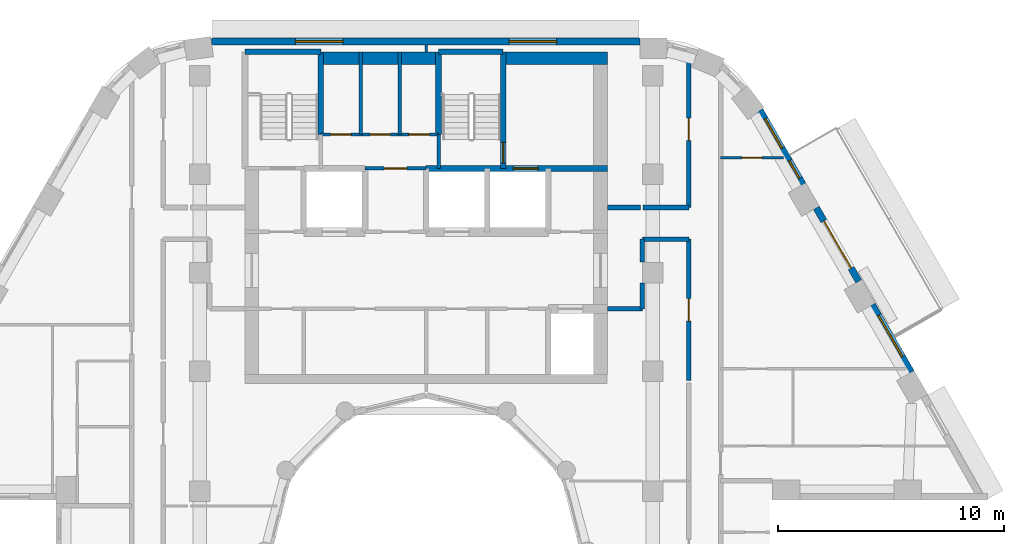
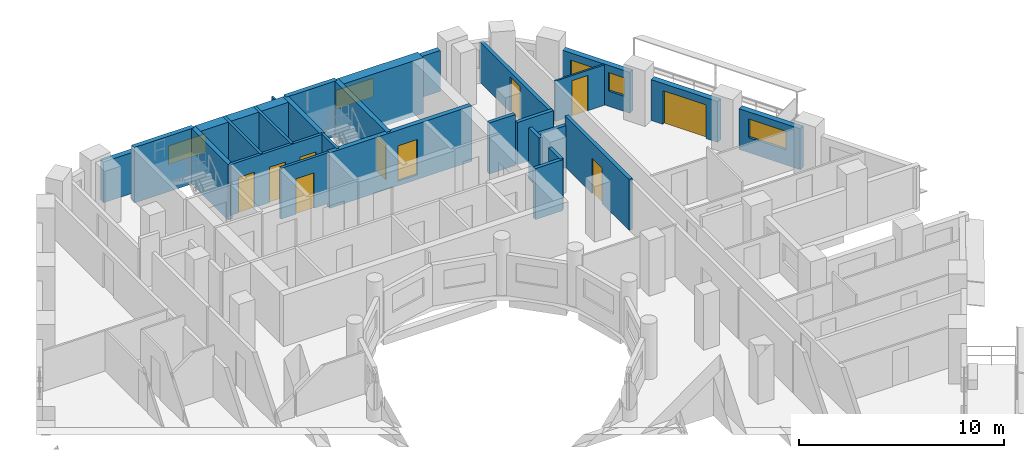
# One storey, part 9 of 18: 27 walls, 10 doors, 5 windows, 15 openings.
"""IFC4 building model written with IfcOpenShell, lengths in metres."""

import ifcopenshell
import ifcopenshell.guid

model = None  # the IFC model being written
_history = None  # IfcOwnerHistory: only IFC2X3 demands one
_inside = {}  # id of a spatial element -> (the spatial element, [elements in it])
_under = {}  # id of a project, library or spatial element -> (it, [spatial elements below it])
_declared = {}  # id of a project -> (the project, [libraries it declares])
_typed = {}  # id of a type object -> (the type object, [elements of that type])
_made_of = {}  # id of a material, layer set ... -> (it, [elements and type objects made of it])


def new_model(schema):
    """Start an empty IFC model of exactly this schema.

    Asked for "IFC4X3", IfcOpenShell would pick the latest addendum, in which some entities
    have other attributes; the version numbers below select the first issue.
    IFC2X3 requires an IfcOwnerHistory on every rooted entity: one is made here for all.
    """
    global model, _history
    if schema == "IFC4X3":
        model = ifcopenshell.file(schema_version=(4, 3, 0, 0))
    else:
        model = ifcopenshell.file(schema=schema)
    _inside.clear()
    _under.clear()
    _declared.clear()
    _typed.clear()
    _made_of.clear()
    _history = None
    if model.schema == "IFC2X3":
        org = make("IfcOrganization", Name="unknown")
        user = make(
            "IfcPersonAndOrganization",
            ThePerson=make("IfcPerson", FamilyName="unknown"),
            TheOrganization=org,
        )
        app = make(
            "IfcApplication",
            ApplicationDeveloper=org,
            Version="unknown",
            ApplicationFullName="unknown",
            ApplicationIdentifier="unknown",
        )
        _history = make(
            "IfcOwnerHistory",
            OwningUser=user,
            OwningApplication=app,
            ChangeAction="ADDED",
            CreationDate=0,
        )
    return model


def make(cls, **values):
    """One entity of the class cls with the attributes given. An attribute that is None is left unset."""
    return model.create_entity(
        cls, **{name: value for name, value in values.items() if value is not None}
    )


def rooted(cls, **values):
    """An entity with a GlobalId (a new one), such as an element, a storey or a relation."""
    return make(cls, GlobalId=ifcopenshell.guid.new(), OwnerHistory=_history, **values)


def si_unit(unit_type, name, prefix=None):
    """IfcSIUnit, for example si_unit("LENGTHUNIT", "METRE", prefix="MILLI")."""
    return make("IfcSIUnit", UnitType=unit_type, Prefix=prefix, Name=name)


def assignment(units):
    """IfcUnitAssignment: the units of a project."""
    return None if units is None else make("IfcUnitAssignment", Units=units)


def point(xyz):
    """IfcCartesianPoint."""
    return None if xyz is None else make("IfcCartesianPoint", Coordinates=xyz)


def direction(xyz):
    """IfcDirection."""
    return None if xyz is None else make("IfcDirection", DirectionRatios=xyz)


def frame(location, z_axis=None, x_axis=None):
    """IfcAxis2Placement3D, a coordinate frame: its origin and axes. An axis left out is left unset."""
    return make(
        "IfcAxis2Placement3D",
        Location=point(location),
        Axis=direction(z_axis),
        RefDirection=direction(x_axis),
    )


def frame_2d(location, x_axis=None):
    """IfcAxis2Placement2D, a coordinate frame in the plane: its origin and x axis."""
    return make(
        "IfcAxis2Placement2D", Location=point(location), RefDirection=direction(x_axis)
    )


def origin():
    """The frame at (0, 0, 0) with its axes left unset."""
    return frame((0.0, 0.0, 0.0))


def place(relative_to, where):
    """IfcLocalPlacement: puts the frame where relative to a parent placement (None: the world)."""
    return make(
        "IfcLocalPlacement", PlacementRelTo=relative_to, RelativePlacement=where
    )


def context(
    kind, dimensions, precision=None, world=None, true_north=None, identifier=None
):
    """IfcGeometricRepresentationContext, for example the 3D "Model" context."""
    return make(
        "IfcGeometricRepresentationContext",
        ContextIdentifier=identifier,
        ContextType=kind,
        CoordinateSpaceDimension=dimensions,
        Precision=precision,
        WorldCoordinateSystem=world,
        TrueNorth=true_north,
    )


def subcontext(parent, identifier, kind, view, scale=None):
    """IfcGeometricRepresentationSubContext, for example "Body" below "Model"."""
    return make(
        "IfcGeometricRepresentationSubContext",
        ContextIdentifier=identifier,
        ContextType=kind,
        ParentContext=parent,
        TargetScale=scale,
        TargetView=view,
    )


def project(units=None, contexts=None):
    """IfcProject with its units and contexts."""
    return rooted(
        "IfcProject",
        Name="project",
        RepresentationContexts=contexts,
        UnitsInContext=assignment(units),
    )


def spatial(cls, under=None, at=None, **own):
    """A site, building, storey or space (cls), placed at a placement, below another one or the project."""
    s = rooted(cls, ObjectPlacement=at, **own)
    if under is not None:
        _under.setdefault(under.id(), (under, []))[1].append(s)
    return s


def profile(cls, at=None, kind="AREA", **sizes):
    """A parametric profile (cls). Its sizes go by their IFC names, for example OverallWidth=200.0."""
    return make(cls, ProfileType=kind, Position=at, **sizes)


def rectangle(**sizes):
    """IfcRectangleProfileDef."""
    return profile("IfcRectangleProfileDef", **sizes)


def extrude(swept, where, along, depth):
    """IfcExtrudedAreaSolid: the profile swept, set in the frame where, extruded along a direction by depth."""
    return make(
        "IfcExtrudedAreaSolid",
        SweptArea=swept,
        Position=where,
        ExtrudedDirection=direction(along),
        Depth=depth,
    )


def shape(context_of_items, identifier, shape_type, items):
    """IfcShapeRepresentation: the items that make up one representation, for example the "Body"."""
    return make(
        "IfcShapeRepresentation",
        ContextOfItems=context_of_items,
        RepresentationIdentifier=identifier,
        RepresentationType=shape_type,
        Items=items,
    )


def material(Name=None, Category=None):
    """IfcMaterial."""
    return make("IfcMaterial", Name=Name, Category=Category)


def layer(
    of_material, thickness, ventilated=None, Name=None, Category=None, Priority=None
):
    """IfcMaterialLayer: one layer of a wall or slab, of a material (None: an air gap)."""
    return make(
        "IfcMaterialLayer",
        Material=of_material,
        LayerThickness=thickness,
        IsVentilated=ventilated,
        Name=Name,
        Category=Category,
        Priority=Priority,
    )


def layer_set(layers, Name=None):
    """IfcMaterialLayerSet."""
    return make("IfcMaterialLayerSet", MaterialLayers=layers, LayerSetName=Name)


def made_of(thing, what):
    """Note that an element or type object is made of a material, layer set ...; save() writes the relation."""
    if what is not None:
        _made_of.setdefault(what.id(), (what, []))[1].append(thing)
    return thing


def type_object(cls, material=None, **own):
    """A type object (cls), such as IfcWallType, which elements share."""
    return made_of(rooted(cls, **own), material)


def element(
    cls,
    number,
    at=None,
    inside=None,
    cuts=None,
    type_object=None,
    material=None,
    context=None,
    identifier="Body",
    shape_type=None,
    held_by="IfcProductDefinitionShape",
    body=None,
    shapes=None,
    **own,
):
    """One element of the class cls, such as IfcWall. Its Tag is "e" and its number.

    at: its placement. inside: the storey or other place that contains it. cuts: it is an
    opening in that element (IfcRelVoidsElement). A single representation is given by context,
    identifier, shape_type and body (its items); several are given by shapes. held_by: the class
    of the entity that holds the representations. save() writes the other relations.
    """
    e = rooted(cls, Tag="e%d" % number, ObjectPlacement=at, **own)
    if body is not None:
        shapes = [shape(context, identifier, shape_type, body)]
    if shapes is not None:
        e.Representation = make(held_by, Representations=shapes)
    if inside is not None:
        _inside.setdefault(inside.id(), (inside, []))[1].append(e)
    if cuts is not None:
        rooted(
            "IfcRelVoidsElement", RelatingBuildingElement=cuts, RelatedOpeningElement=e
        )
    if type_object is not None:
        _typed.setdefault(type_object.id(), (type_object, []))[1].append(e)
    return made_of(e, material)


def fill(opening, filler):
    """IfcRelFillsElement: the door or window that sits in an opening."""
    return rooted(
        "IfcRelFillsElement",
        RelatingOpeningElement=opening,
        RelatedBuildingElement=filler,
    )


def aggregate(whole, parts):
    """IfcRelAggregates: a whole, such as a stair, and the parts it consists of."""
    return rooted("IfcRelAggregates", RelatingObject=whole, RelatedObjects=parts)


def save(model, path):
    """Write the relations noted so far, then the file.

    IfcRelAggregates (storeys below a building ...), IfcRelContainedInSpatialStructure (elements
    in a storey), IfcRelDefinesByType, IfcRelAssociatesMaterial and IfcRelDeclares: one each for
    every whole, place, type object, material and project.
    """
    for whole, parts in _under.values():
        aggregate(whole, parts)
    for where, things in _inside.values():
        rooted(
            "IfcRelContainedInSpatialStructure",
            RelatedElements=things,
            RelatingStructure=where,
        )
    for kind, things in _typed.values():
        rooted("IfcRelDefinesByType", RelatedObjects=things, RelatingType=kind)
    for what, things in _made_of.values():
        rooted("IfcRelAssociatesMaterial", RelatedObjects=things, RelatingMaterial=what)
    for by, libraries in _declared.values():
        rooted("IfcRelDeclares", RelatingContext=by, RelatedDefinitions=libraries)
    model.write(path)


model = new_model("IFC4")

# Units and contexts
model_context = context("Model", 3, precision=1e-05, world=origin(), true_north=direction((0.0, 1.0)))
body_context = subcontext(model_context, "Body", "Model", "MODEL_VIEW")
ifc_project = project(units=[si_unit("LENGTHUNIT", "METRE"), si_unit("AREAUNIT", "SQUARE_METRE"), si_unit("VOLUMEUNIT", "CUBIC_METRE"), si_unit("PLANEANGLEUNIT", "RADIAN"), si_unit("MASSUNIT", "GRAM", prefix="KILO")], contexts=[model_context])

# Site, building, storey
site_placement = place(None, origin())
site = spatial("IfcSite", under=ifc_project, at=site_placement, CompositionType="ELEMENT")
building_placement = place(site_placement, origin())
building = spatial("IfcBuilding", under=site, at=building_placement, Name="Nakaniwa Court", CompositionType="ELEMENT")
storey_placement = place(building_placement, frame((0.0, 0.0, 180.0)))
storey = spatial("IfcBuildingStorey", under=building, at=storey_placement, Name="L46", CompositionType="ELEMENT", Elevation=180.0)

# Wall, opening, door
ifc_material_1 = material(Name="Acoustic double stud partition")
ifc_layer_1 = layer(ifc_material_1, 0.199951171875)
ifc_layer_set_1 = layer_set([ifc_layer_1], Name="Acoustic double stud partition")
wall_type_1 = type_object("IfcWallType", Name="Acoustic double stud partition 200", PredefinedType="PARTITIONING", material=ifc_layer_set_1)
wall_1_placement = place(storey_placement, frame((91.60009765625, 87.537109375, 0.0), z_axis=(0.0, 0.0, 1.0), x_axis=(0.0, 1.0, 0.0)))
wall_1 = element("IfcWall", 1, at=wall_1_placement, inside=storey, type_object=wall_type_1, Name="Partition PW-075", PredefinedType="PARTITIONING", context=body_context, shape_type="SweptSolid", body=[
    extrude(rectangle(XDim=6.23779296875, YDim=0.199951171875, at=frame_2d((3.118896484375, 0.0))), origin(), (0.0, 0.0, 1.0), 3.02490234375),
])
opening_1_placement = place(wall_1_placement, frame((2.6201171875, 0.0, 0.0)))
opening_1 = element("IfcOpeningElement", 2, at=opening_1_placement, cuts=wall_1, Name="Opening D-02-03", PredefinedType="OPENING", context=body_context, shape_type="SweptSolid", body=[
    extrude(rectangle(XDim=1.0, YDim=2.10009765625, at=frame_2d((0.5, 1.050048828125))), frame((0.0, 0.10986328125, 0.0), z_axis=(0.0, -1.0, 0.0), x_axis=(1.0, 0.0, 0.0)), (0.0, 0.0, 1.0), 0.219970703125),
])
ifc_material_2 = material(Name="Solid core timber door set, black veneer", Category="wood")
door_type_1 = type_object("IfcDoorType", Name="Internal door 1000", OperationType="NOTDEFINED", PredefinedType="DOOR", material=ifc_material_2)
door_1_placement = place(opening_1_placement, origin())
door_1 = element("IfcDoor", 3, at=door_1_placement, inside=storey, type_object=door_type_1, Name="Door D-02-03 L46-038", OperationType="SINGLE_SWING_LEFT", OverallHeight=2.10009765625, OverallWidth=1.0, PredefinedType="DOOR", context=body_context, shape_type="SweptSolid", body=[
    extrude(rectangle(XDim=1.0, YDim=2.10009765625, at=frame_2d((0.5, 1.050048828125))), frame((0.0, 0.02490234375, 0.0), z_axis=(0.0, -1.0, 0.0), x_axis=(1.0, 0.0, 0.0)), (0.0, 0.0, 1.0), 0.050048828125),
])
fill(opening_1, door_1)

wall_2_placement = place(storey_placement, frame((91.60009765625, 95.175048828125, 0.0), z_axis=(0.0, 0.0, 1.0), x_axis=(0.0, 1.0, 0.0)))
wall_2 = element("IfcWall", 4, at=wall_2_placement, inside=storey, type_object=wall_type_1, Name="Partition PW-076", PredefinedType="PARTITIONING", context=body_context, shape_type="SweptSolid", body=[
    extrude(rectangle(XDim=6.898681640625, YDim=0.199951171875, at=frame_2d((3.44921875, 0.0))), origin(), (0.0, 0.0, 1.0), 2.405029296875),
])
opening_2_placement = place(wall_2_placement, frame((2.949951171875, 0.0, 0.0)))
opening_2 = element("IfcOpeningElement", 5, at=opening_2_placement, cuts=wall_2, Name="Opening D-02-07", PredefinedType="OPENING", context=body_context, shape_type="SweptSolid", body=[
    extrude(rectangle(XDim=1.0, YDim=2.10009765625, at=frame_2d((0.5, 1.050048828125))), frame((0.0, 0.10986328125, 0.0), z_axis=(0.0, -1.0, 0.0), x_axis=(1.0, 0.0, 0.0)), (0.0, 0.0, 1.0), 0.219970703125),
])
door_2_placement = place(opening_2_placement, origin())
door_2 = element("IfcDoor", 6, at=door_2_placement, inside=storey, type_object=door_type_1, Name="Door D-02-07 L46-060", OperationType="SINGLE_SWING_LEFT", OverallHeight=2.10009765625, OverallWidth=1.0, PredefinedType="DOOR", context=body_context, shape_type="SweptSolid", body=[
    extrude(rectangle(XDim=1.0, YDim=2.10009765625, at=frame_2d((0.5, 1.050048828125))), frame((0.0, 0.02490234375, 0.0), z_axis=(0.0, -1.0, 0.0), x_axis=(1.0, 0.0, 0.0)), (0.0, 0.0, 1.0), 0.050048828125),
])
fill(opening_2, door_2)

# Walls
wall_3_placement = place(storey_placement, frame((89.550048828125, 90.699951171875, 0.0), z_axis=(0.0, 0.0, 1.0), x_axis=(0.0, 1.0, 0.0)))
element("IfcWall", 7, at=wall_3_placement, inside=storey, type_object=wall_type_1, Name="Partition PW-086", PredefinedType="PARTITIONING", context=body_context, shape_type="SweptSolid", body=[
    extrude(rectangle(XDim=1.1328125, YDim=0.199951171875, at=frame_2d((0.56640625, 0.0))), origin(), (0.0, 0.0, 1.0), 3.02490234375),
])
wall_4_placement = place(storey_placement, frame((89.550048828125, 92.76708984375, 0.0), z_axis=(0.0, 0.0, 1.0), x_axis=(0.0, 1.0, 0.0)))
element("IfcWall", 8, at=wall_4_placement, inside=storey, type_object=wall_type_1, Name="Partition PW-087", PredefinedType="PARTITIONING", context=body_context, shape_type="SweptSolid", body=[
    extrude(rectangle(XDim=1.0078125, YDim=0.199951171875, at=frame_2d((0.50390625, 0.0))), origin(), (0.0, 0.0, 1.0), 3.02490234375),
])
wall_5_placement = place(storey_placement, frame((89.550048828125, 93.77490234375, 0.0), z_axis=(0.0, 0.0, 1.0), x_axis=(1.0, 0.0, 0.0)))
element("IfcWall", 9, at=wall_5_placement, inside=storey, type_object=wall_type_1, Name="Partition PW-091", PredefinedType="PARTITIONING", context=body_context, shape_type="SweptSolid", body=[
    extrude(rectangle(XDim=2.050048828125, YDim=0.199951171875, at=frame_2d((1.02490234375, 0.0))), origin(), (0.0, 0.0, 1.0), 2.5048828125),
])
wall_6_placement = place(storey_placement, frame((88.0, 90.699951171875, 0.0), z_axis=(0.0, 0.0, 1.0), x_axis=(1.0, 0.0, 0.0)))
element("IfcWall", 10, at=wall_6_placement, inside=storey, type_object=wall_type_1, Name="Partition PW-093", PredefinedType="PARTITIONING", context=body_context, shape_type="SweptSolid", body=[
    extrude(rectangle(XDim=1.550048828125, YDim=0.199951171875, at=frame_2d((0.77490234375, 0.0))), origin(), (0.0, 0.0, 1.0), 3.02490234375),
])
wall_7_placement = place(storey_placement, frame((88.0, 95.175048828125, 0.0), z_axis=(0.0, 0.0, 1.0), x_axis=(1.0, 0.0, 0.0)))
element("IfcWall", 11, at=wall_7_placement, inside=storey, type_object=wall_type_1, Name="Partition PW-096", PredefinedType="PARTITIONING", context=body_context, shape_type="SweptSolid", body=[
    extrude(rectangle(XDim=1.472900390625, YDim=0.199951171875, at=frame_2d((0.736328125, 0.0))), origin(), (0.0, 0.0, 1.0), 3.02490234375),
])
wall_8_placement = place(storey_placement, frame((89.587158203125, 95.175048828125, 0.0), z_axis=(0.0, 0.0, 1.0), x_axis=(1.0, 0.0, 0.0)))
element("IfcWall", 12, at=wall_8_placement, inside=storey, type_object=wall_type_1, Name="Partition PW-097", PredefinedType="PARTITIONING", context=body_context, shape_type="SweptSolid", body=[
    extrude(rectangle(XDim=2.012939453125, YDim=0.199951171875, at=frame_2d((1.00634765625, 0.0))), origin(), (0.0, 0.0, 1.0), 2.5048828125),
])

# Wall, opening, window
ifc_material_3 = material(Name="Charcoal ceramic cladding")
ifc_layer_2 = layer(ifc_material_3, 0.02, Name="Ceramic cladding")
ifc_material_4 = material(Name="Ventilated air cavity")
ifc_layer_3 = layer(ifc_material_4, 0.04, ventilated=True, Name="Ventilated cavity")
ifc_material_5 = material(Name="Mineral wool insulation")
ifc_layer_4 = layer(ifc_material_5, 0.1, Name="Insulation")
ifc_material_6 = material(Name="Cement bonded sheathing board")
ifc_layer_5 = layer(ifc_material_6, 0.012, Name="Sheathing")
ifc_material_7 = material(Name="Cold-formed galvanised stud frame with mineral wool infill")
ifc_layer_6 = layer(ifc_material_7, 0.1, Name="Stud frame")
ifc_material_8 = material(Name="Fire-rated gypsum plasterboard lining")
ifc_layer_7 = layer(ifc_material_8, 0.028, Name="Lining")
ifc_layer_set_2 = layer_set([ifc_layer_2, ifc_layer_3, ifc_layer_4, ifc_layer_5, ifc_layer_6, ifc_layer_7], Name="Charcoal ceramic faced external wall system")
wall_type_2 = type_object("IfcWallType", Name="Black ceramic faced external wall 300", PredefinedType="SOLIDWALL", material=ifc_layer_set_2)
wall_9_placement = place(storey_placement, frame((101.420654296875, 87.898193359375, 0.0), z_axis=(0.0, 0.0, 1.0), x_axis=(-0.499955427682, 0.866051136095, 0.0)))
wall_9 = element("IfcWall", 13, at=wall_9_placement, inside=storey, type_object=wall_type_2, Name="L46 external wall 03", PredefinedType="SOLIDWALL", context=body_context, shape_type="SweptSolid", body=[
    extrude(rectangle(XDim=3.447021484375, YDim=0.300048828125, at=frame_2d((1.7236328125, 0.0))), origin(), (0.0, 0.0, 1.0), 2.425048828125),
])
opening_3_placement = place(wall_9_placement, frame((0.798095703125, 0.0, 0.89990234375)))
opening_3 = element("IfcOpeningElement", 14, at=opening_3_placement, cuts=wall_9, Name="Opening W7.02", PredefinedType="OPENING", context=body_context, shape_type="SweptSolid", body=[
    extrude(rectangle(XDim=2.10009765625, YDim=1.10009765625, at=frame_2d((1.050048828125, 0.550048828125))), frame((0.0, 0.159912109375, 0.0), z_axis=(0.0, -1.0, 0.0), x_axis=(1.0, 0.0, 0.0)), (0.0, 0.0, 1.0), 0.320068359375),
])
ifc_material_9 = material(Name="Black anodised aluminium frame with dark low-E laminated double glazing", Category="aluminium")
window_type_1 = type_object("IfcWindowType", Name="Dark glass window 2100x1100 sill 900", PartitioningType="SINGLE_PANEL", PredefinedType="WINDOW", material=ifc_material_9)
window_1_placement = place(opening_3_placement, origin())
window_1 = element("IfcWindow", 15, at=window_1_placement, inside=storey, type_object=window_type_1, Name="L46 living window 03-1", OverallHeight=1.10009765625, OverallWidth=2.10009765625, PartitioningType="SINGLE_PANEL", PredefinedType="WINDOW", context=body_context, shape_type="SweptSolid", body=[
    extrude(rectangle(XDim=2.10009765625, YDim=1.10009765625, at=frame_2d((1.050048828125, 0.550048828125))), frame((0.0, 0.030029296875, 0.0), z_axis=(0.0, -1.0, 0.0), x_axis=(1.0, 0.0, 0.0)), (0.0, 0.0, 1.0), 0.06005859375),
])
fill(opening_3, window_1)

# Wall, opening, door
wall_10_placement = place(storey_placement, frame((99.101318359375, 91.916015625, 0.0), z_axis=(0.0, 0.0, 1.0), x_axis=(-0.500059225181, 0.86599120741, 0.0)))
wall_10 = element("IfcWall", 16, at=wall_10_placement, inside=storey, type_object=wall_type_2, Name="L46 external wall 04", PredefinedType="SOLIDWALL", context=body_context, shape_type="SweptSolid", body=[
    extrude(rectangle(XDim=3.744140625, YDim=0.300048828125, at=frame_2d((1.8720703125, 0.0))), origin(), (0.0, 0.0, 1.0), 2.425048828125),
])
opening_4_placement = place(wall_10_placement, frame((0.672119140625, 0.0, 0.0)))
opening_4 = element("IfcOpeningElement", 17, at=opening_4_placement, cuts=wall_10, Name="Opening XD13.01", PredefinedType="OPENING", context=body_context, shape_type="SweptSolid", body=[
    extrude(rectangle(XDim=2.39990234375, YDim=2.0, at=frame_2d((1.199951171875, 1.0))), frame((0.0, 0.159912109375, 0.0), z_axis=(0.0, -1.0, 0.0), x_axis=(1.0, 0.0, 0.0)), (0.0, 0.0, 1.0), 0.320068359375),
])
ifc_material_10 = material(Name="Black powder-coated aluminium frame with dark laminated glass", Category="aluminium")
door_type_2 = type_object("IfcDoorType", Name="Balcony sliding door 2400x2000", OperationType="DOUBLE_DOOR_SLIDING", PredefinedType="DOOR", material=ifc_material_10)
door_3_placement = place(opening_4_placement, origin())
door_3 = element("IfcDoor", 18, at=door_3_placement, inside=storey, type_object=door_type_2, Name="L46 balcony sliding door 03", OperationType="DOUBLE_DOOR_SLIDING", OverallHeight=2.0, OverallWidth=2.39990234375, PredefinedType="DOOR", context=body_context, shape_type="SweptSolid", body=[
    extrude(rectangle(XDim=2.39990234375, YDim=2.0, at=frame_2d((1.199951171875, 1.0))), frame((0.0, 0.02490234375, 0.0), z_axis=(0.0, -1.0, 0.0), x_axis=(1.0, 0.0, 0.0)), (0.0, 0.0, 1.0), 0.050048828125),
])
fill(opening_4, door_3)

# Wall, openings, windows
wall_11_placement = place(storey_placement, frame((96.633056640625, 96.190673828125, 0.0), z_axis=(0.0, 0.0, 1.0), x_axis=(-0.499961087031, 0.866047869032, 0.0)))
wall_11 = element("IfcWall", 19, at=wall_11_placement, inside=storey, type_object=wall_type_2, Name="L46 external wall 05", PredefinedType="SOLIDWALL", context=body_context, shape_type="SweptSolid", body=[
    extrude(rectangle(XDim=3.778564453125, YDim=0.300048828125, at=frame_2d((1.88916015625, 0.0))), origin(), (0.0, 0.0, 1.0), 2.425048828125),
])
opening_5_placement = place(wall_11_placement, frame((0.30810546875, 0.0, 0.89990234375)))
opening_5 = element("IfcOpeningElement", 20, at=opening_5_placement, cuts=wall_11, Name="Opening W9.03", PredefinedType="OPENING", context=body_context, shape_type="SweptSolid", body=[
    extrude(rectangle(XDim=0.89990234375, YDim=1.10009765625, at=frame_2d((0.449951171875, 0.550048828125))), frame((0.0, 0.159912109375, 0.0), z_axis=(0.0, -1.0, 0.0), x_axis=(1.0, 0.0, 0.0)), (0.0, 0.0, 1.0), 0.320068359375),
])
opening_6_placement = place(wall_11_placement, frame((1.84912109375, 0.0, 0.89990234375)))
opening_6 = element("IfcOpeningElement", 21, at=opening_6_placement, cuts=wall_11, Name="Opening W5.04", PredefinedType="OPENING", context=body_context, shape_type="SweptSolid", body=[
    extrude(rectangle(XDim=1.5, YDim=1.10009765625, at=frame_2d((0.75, 0.550048828125))), frame((0.0, 0.159912109375, 0.0), z_axis=(0.0, -1.0, 0.0), x_axis=(1.0, 0.0, 0.0)), (0.0, 0.0, 1.0), 0.320068359375),
])
window_type_2 = type_object("IfcWindowType", Name="Dark glass window 1500x1100 sill 900", PartitioningType="SINGLE_PANEL", PredefinedType="WINDOW", material=ifc_material_9)
window_2_placement = place(opening_6_placement, origin())
window_2 = element("IfcWindow", 22, at=window_2_placement, inside=storey, type_object=window_type_2, Name="L46 habitable room window 05-1", OverallHeight=1.10009765625, OverallWidth=1.5, PartitioningType="SINGLE_PANEL", PredefinedType="WINDOW", context=body_context, shape_type="SweptSolid", body=[
    extrude(rectangle(XDim=1.5, YDim=1.10009765625, at=frame_2d((0.75, 0.550048828125))), frame((0.0, 0.030029296875, 0.0), z_axis=(0.0, -1.0, 0.0), x_axis=(1.0, 0.0, 0.0)), (0.0, 0.0, 1.0), 0.06005859375),
])
fill(opening_6, window_2)
window_type_3 = type_object("IfcWindowType", Name="Dark glass window 900x1100 sill 900", PartitioningType="SINGLE_PANEL", PredefinedType="WINDOW", material=ifc_material_9)
window_3_placement = place(opening_5_placement, origin())
window_3 = element("IfcWindow", 23, at=window_3_placement, inside=storey, type_object=window_type_3, Name="L46 living window 05-0", OverallHeight=1.10009765625, OverallWidth=0.89990234375, PartitioningType="SINGLE_PANEL", PredefinedType="WINDOW", context=body_context, shape_type="SweptSolid", body=[
    extrude(rectangle(XDim=0.89990234375, YDim=1.10009765625, at=frame_2d((0.449951171875, 0.550048828125))), frame((0.0, 0.030029296875, 0.0), z_axis=(0.0, -1.0, 0.0), x_axis=(1.0, 0.0, 0.0)), (0.0, 0.0, 1.0), 0.06005859375),
])
fill(opening_5, window_3)

wall_12_placement = place(storey_placement, frame((89.44921875, 102.5, 0.0), z_axis=(0.0, 0.0, 1.0), x_axis=(-1.0, 0.0, 0.0)))
wall_12 = element("IfcWall", 24, at=wall_12_placement, inside=storey, type_object=wall_type_2, Name="L46 external wall 08", PredefinedType="SOLIDWALL", context=body_context, shape_type="SweptSolid", body=[
    extrude(rectangle(XDim=18.932861328125, YDim=0.300048828125, at=frame_2d((9.46630859375, 0.0))), origin(), (0.0, 0.0, 1.0), 2.425048828125),
])
opening_7_placement = place(wall_12_placement, frame((3.6865234375, 0.0, 0.89990234375)))
opening_7 = element("IfcOpeningElement", 25, at=opening_7_placement, cuts=wall_12, Name="Opening W7.07", PredefinedType="OPENING", context=body_context, shape_type="SweptSolid", body=[
    extrude(rectangle(XDim=2.10009765625, YDim=1.10009765625, at=frame_2d((1.050048828125, 0.550048828125))), frame((0.0, 0.159912109375, 0.0), z_axis=(0.0, -1.0, 0.0), x_axis=(1.0, 0.0, 0.0)), (0.0, 0.0, 1.0), 0.320068359375),
])
opening_8_placement = place(wall_12_placement, frame((13.117919921875, 0.0, 0.89990234375)))
opening_8 = element("IfcOpeningElement", 26, at=opening_8_placement, cuts=wall_12, Name="Opening W7.08", PredefinedType="OPENING", context=body_context, shape_type="SweptSolid", body=[
    extrude(rectangle(XDim=2.10009765625, YDim=1.10009765625, at=frame_2d((1.050048828125, 0.550048828125))), frame((0.0, 0.159912109375, 0.0), z_axis=(0.0, -1.0, 0.0), x_axis=(1.0, 0.0, 0.0)), (0.0, 0.0, 1.0), 0.320068359375),
])
window_4_placement = place(opening_7_placement, origin())
window_4 = element("IfcWindow", 27, at=window_4_placement, inside=storey, type_object=window_type_1, Name="L46 habitable room window 08-0", OverallHeight=1.10009765625, OverallWidth=2.10009765625, PartitioningType="SINGLE_PANEL", PredefinedType="WINDOW", context=body_context, shape_type="SweptSolid", body=[
    extrude(rectangle(XDim=2.10009765625, YDim=1.10009765625, at=frame_2d((1.050048828125, 0.550048828125))), frame((0.0, 0.030029296875, 0.0), z_axis=(0.0, -1.0, 0.0), x_axis=(1.0, 0.0, 0.0)), (0.0, 0.0, 1.0), 0.06005859375),
])
fill(opening_7, window_4)
window_5_placement = place(opening_8_placement, origin())
window_5 = element("IfcWindow", 28, at=window_5_placement, inside=storey, type_object=window_type_1, Name="L46 habitable room window 08-1", OverallHeight=1.10009765625, OverallWidth=2.10009765625, PartitioningType="SINGLE_PANEL", PredefinedType="WINDOW", context=body_context, shape_type="SweptSolid", body=[
    extrude(rectangle(XDim=2.10009765625, YDim=1.10009765625, at=frame_2d((1.050048828125, 0.550048828125))), frame((0.0, 0.030029296875, 0.0), z_axis=(0.0, -1.0, 0.0), x_axis=(1.0, 0.0, 0.0)), (0.0, 0.0, 1.0), 0.06005859375),
])
fill(opening_8, window_5)

# Wall, opening, door
ifc_material_11 = material(Name="Blockwork partition", Category="masonry")
ifc_layer_8 = layer(ifc_material_11, 0.14990234375)
ifc_layer_set_3 = layer_set([ifc_layer_8], Name="Blockwork partition")
wall_type_3 = type_object("IfcWallType", Name="Blockwork partition 150", PredefinedType="PARTITIONING", material=ifc_layer_set_3)
wall_13_placement = place(storey_placement, frame((77.300048828125, 96.89990234375, 0.0), z_axis=(0.0, 0.0, 1.0), x_axis=(1.0, 0.0, 0.0)))
wall_13 = element("IfcWall", 29, at=wall_13_placement, inside=storey, type_object=wall_type_3, Name="Partition PW-021", PredefinedType="PARTITIONING", context=body_context, shape_type="SweptSolid", body=[
    extrude(rectangle(XDim=2.699951171875, YDim=0.14990234375, at=frame_2d((1.35009765625, 0.0))), origin(), (0.0, 0.0, 1.0), 3.02490234375),
])
opening_9_placement = place(wall_13_placement, frame((0.85009765625, 0.0, 0.0)))
opening_9 = element("IfcOpeningElement", 30, at=opening_9_placement, cuts=wall_13, Name="Opening D-23-01", PredefinedType="OPENING", context=body_context, shape_type="SweptSolid", body=[
    extrude(rectangle(XDim=1.0, YDim=2.10009765625, at=frame_2d((0.5, 1.050048828125))), frame((0.0, 0.0849609375, 0.0), z_axis=(0.0, -1.0, 0.0), x_axis=(1.0, 0.0, 0.0)), (0.0, 0.0, 1.0), 0.169921875),
])
ifc_material_12 = material(Name="Fire rated steel door set", Category="steel")
door_type_3 = type_object("IfcDoorType", Name="Service room door 1000", OperationType="NOTDEFINED", PredefinedType="DOOR", material=ifc_material_12)
door_4_placement = place(opening_9_placement, origin())
door_4 = element("IfcDoor", 31, at=door_4_placement, inside=storey, type_object=door_type_3, Name="Door D-23-01 L46-008", OperationType="SINGLE_SWING_LEFT", OverallHeight=2.10009765625, OverallWidth=1.0, PredefinedType="DOOR", context=body_context, shape_type="SweptSolid", body=[
    extrude(rectangle(XDim=1.0, YDim=2.10009765625, at=frame_2d((0.5, 1.050048828125))), frame((0.0, 0.02490234375, 0.0), z_axis=(0.0, -1.0, 0.0), x_axis=(1.0, 0.0, 0.0)), (0.0, 0.0, 1.0), 0.050048828125),
])
fill(opening_9, door_4)

# Wall, openings, doors
wall_14_placement = place(storey_placement, frame((75.35009765625, 98.39990234375, 0.0), z_axis=(0.0, 0.0, 1.0), x_axis=(1.0, 0.0, 0.0)))
wall_14 = element("IfcWall", 32, at=wall_14_placement, inside=storey, type_object=wall_type_3, Name="Partition PW-033", PredefinedType="PARTITIONING", context=body_context, shape_type="SweptSolid", body=[
    extrude(rectangle(XDim=5.199951171875, YDim=0.14990234375, at=frame_2d((2.60009765625, 0.0))), origin(), (0.0, 0.0, 1.0), 3.02490234375),
])
opening_10_placement = place(wall_14_placement, frame((0.43408203125, 0.0, 0.0)))
opening_10 = element("IfcOpeningElement", 33, at=opening_10_placement, cuts=wall_14, Name="Opening D-05-06", PredefinedType="OPENING", context=body_context, shape_type="SweptSolid", body=[
    extrude(rectangle(XDim=0.89990234375, YDim=2.10009765625, at=frame_2d((0.449951171875, 1.050048828125))), frame((0.0, 0.0849609375, 0.0), z_axis=(0.0, -1.0, 0.0), x_axis=(1.0, 0.0, 0.0)), (0.0, 0.0, 1.0), 0.169921875),
])
opening_11_placement = place(wall_14_placement, frame((2.176025390625, 0.0, 0.0)))
opening_11 = element("IfcOpeningElement", 34, at=opening_11_placement, cuts=wall_14, Name="Opening D-05-07", PredefinedType="OPENING", context=body_context, shape_type="SweptSolid", body=[
    extrude(rectangle(XDim=0.89990234375, YDim=2.10009765625, at=frame_2d((0.449951171875, 1.050048828125))), frame((0.0, 0.0849609375, 0.0), z_axis=(0.0, -1.0, 0.0), x_axis=(1.0, 0.0, 0.0)), (0.0, 0.0, 1.0), 0.169921875),
])
opening_12_placement = place(wall_14_placement, frame((3.89208984375, 0.0, 0.0)))
opening_12 = element("IfcOpeningElement", 35, at=opening_12_placement, cuts=wall_14, Name="Opening D-05-08", PredefinedType="OPENING", context=body_context, shape_type="SweptSolid", body=[
    extrude(rectangle(XDim=0.89990234375, YDim=2.10009765625, at=frame_2d((0.449951171875, 1.050048828125))), frame((0.0, 0.0849609375, 0.0), z_axis=(0.0, -1.0, 0.0), x_axis=(1.0, 0.0, 0.0)), (0.0, 0.0, 1.0), 0.169921875),
])
door_type_4 = type_object("IfcDoorType", Name="Service room door 900", OperationType="NOTDEFINED", PredefinedType="DOOR", material=ifc_material_12)
door_5_placement = place(opening_10_placement, origin())
door_5 = element("IfcDoor", 36, at=door_5_placement, inside=storey, type_object=door_type_4, Name="Door D-05-06 L46-009", OperationType="SINGLE_SWING_RIGHT", OverallHeight=2.10009765625, OverallWidth=0.89990234375, PredefinedType="DOOR", context=body_context, shape_type="SweptSolid", body=[
    extrude(rectangle(XDim=0.89990234375, YDim=2.10009765625, at=frame_2d((0.449951171875, 1.050048828125))), frame((0.0, 0.02490234375, 0.0), z_axis=(0.0, -1.0, 0.0), x_axis=(1.0, 0.0, 0.0)), (0.0, 0.0, 1.0), 0.050048828125),
])
fill(opening_10, door_5)
door_6_placement = place(opening_11_placement, origin())
door_6 = element("IfcDoor", 37, at=door_6_placement, inside=storey, type_object=door_type_4, Name="Door D-05-07 L46-010", OperationType="SINGLE_SWING_LEFT", OverallHeight=2.10009765625, OverallWidth=0.89990234375, PredefinedType="DOOR", context=body_context, shape_type="SweptSolid", body=[
    extrude(rectangle(XDim=0.89990234375, YDim=2.10009765625, at=frame_2d((0.449951171875, 1.050048828125))), frame((0.0, 0.02490234375, 0.0), z_axis=(0.0, -1.0, 0.0), x_axis=(1.0, 0.0, 0.0)), (0.0, 0.0, 1.0), 0.050048828125),
])
fill(opening_11, door_6)
door_7_placement = place(opening_12_placement, origin())
door_7 = element("IfcDoor", 38, at=door_7_placement, inside=storey, type_object=door_type_4, Name="Door D-05-08 L46-011", OperationType="SINGLE_SWING_RIGHT", OverallHeight=2.10009765625, OverallWidth=0.89990234375, PredefinedType="DOOR", context=body_context, shape_type="SweptSolid", body=[
    extrude(rectangle(XDim=0.89990234375, YDim=2.10009765625, at=frame_2d((0.449951171875, 1.050048828125))), frame((0.0, 0.02490234375, 0.0), z_axis=(0.0, -1.0, 0.0), x_axis=(1.0, 0.0, 0.0)), (0.0, 0.0, 1.0), 0.050048828125),
])
fill(opening_12, door_7)

# Walls
for number, where, z_axis, x_axis, name in (
    (39, (77.117919921875, 98.39990234375, 0.0), (0.0, 0.0, 1.0), (0.0, 1.0, 0.0), "Partition PW-034"),
    (40, (78.833984375, 98.39990234375, 0.0), (0.0, 0.0, 1.0), (0.0, 1.0, 0.0), "Partition PW-035"),
):
    element("IfcWall", number, at=place(storey_placement, frame(where, z_axis=z_axis, x_axis=x_axis)), inside=storey, type_object=wall_type_3, Name=name, PredefinedType="PARTITIONING", context=body_context, shape_type="SweptSolid", body=[
        extrude(rectangle(XDim=3.650146484375, YDim=0.14990234375, at=frame_2d((1.8251953125, 0.0))), origin(), (0.0, 0.0, 1.0), 3.02490234375),
    ])
ifc_material_13 = material(Name="Concrete C80/100", Category="concrete")
ifc_layer_9 = layer(ifc_material_13, 0.14990234375)
ifc_layer_set_4 = layer_set([ifc_layer_9], Name="Concrete C80/100")
wall_type_4 = type_object("IfcWallType", Name="Concrete core wall 150 C80", PredefinedType="SHEAR", material=ifc_layer_set_4)
wall_15_placement = place(storey_placement, frame((80.550048828125, 96.89990234375, -0.27490234375), z_axis=(0.0, 0.0, 1.0), x_axis=(0.0, 1.0, 0.0)))
element("IfcWall", 41, at=wall_15_placement, inside=storey, type_object=wall_type_4, Name="Core wall SW-29", PredefinedType="SHEAR", context=body_context, shape_type="SweptSolid", body=[
    extrude(rectangle(XDim=1.503173828125, YDim=0.14990234375, at=frame_2d((0.75146484375, 0.0))), origin(), (0.0, 0.0, 1.0), 3.2998046875),
])
ifc_layer_10 = layer(ifc_material_13, 0.25)
ifc_layer_set_5 = layer_set([ifc_layer_10], Name="Concrete C80/100")
wall_type_5 = type_object("IfcWallType", Name="Concrete core wall 250 C80", PredefinedType="SHEAR", material=ifc_layer_set_5)
wall_16_placement = place(storey_placement, frame((72.0, 102.050048828125, -0.27490234375), z_axis=(0.0, 0.0, 1.0), x_axis=(1.0, 0.0, 0.0)))
element("IfcWall", 42, at=wall_16_placement, inside=storey, type_object=wall_type_5, Name="Core wall SW-25", PredefinedType="SHEAR", context=body_context, shape_type="SweptSolid", body=[
    extrude(rectangle(XDim=3.35009765625, YDim=0.25, at=frame_2d((1.675048828125, 0.0))), origin(), (0.0, 0.0, 1.0), 3.2998046875),
])
wall_17_placement = place(storey_placement, frame((80.550048828125, 102.050048828125, -0.27490234375), z_axis=(0.0, 0.0, 1.0), x_axis=(1.0, 0.0, 0.0)))
element("IfcWall", 43, at=wall_17_placement, inside=storey, type_object=wall_type_5, Name="Core wall SW-26", PredefinedType="SHEAR", context=body_context, shape_type="SweptSolid", body=[
    extrude(rectangle(XDim=2.849853515625, YDim=0.25, at=frame_2d((1.4248046875, 0.0))), origin(), (0.0, 0.0, 1.0), 3.2998046875),
])
ifc_layer_11 = layer(ifc_material_13, 0.550048828125)
ifc_layer_set_6 = layer_set([ifc_layer_11], Name="Concrete C80/100")
wall_type_6 = type_object("IfcWallType", Name="Concrete core wall 550 C80", PredefinedType="SHEAR", material=ifc_layer_set_6)
wall_18_placement = place(storey_placement, frame((75.35009765625, 101.77490234375, -0.27490234375), z_axis=(0.0, 0.0, 1.0), x_axis=(1.0, 0.0, 0.0)))
element("IfcWall", 44, at=wall_18_placement, inside=storey, type_object=wall_type_6, Name="Core wall SW-31", PredefinedType="SHEAR", context=body_context, shape_type="SweptSolid", body=[
    extrude(rectangle(XDim=5.199951171875, YDim=0.550048828125, at=frame_2d((2.60009765625, 0.0))), origin(), (0.0, 0.0, 1.0), 3.2998046875),
])
wall_19_placement = place(storey_placement, frame((83.39990234375, 101.77490234375, -0.27490234375), z_axis=(0.0, 0.0, 1.0), x_axis=(1.0, 0.0, 0.0)))
element("IfcWall", 45, at=wall_19_placement, inside=storey, type_object=wall_type_6, Name="Core wall SW-32", PredefinedType="SHEAR", context=body_context, shape_type="SweptSolid", body=[
    extrude(rectangle(XDim=4.60009765625, YDim=0.550048828125, at=frame_2d((2.300048828125, 0.0))), origin(), (0.0, 0.0, 1.0), 3.2998046875),
])

# Wall, opening, door
ifc_layer_12 = layer(ifc_material_13, 0.25)
ifc_layer_set_7 = layer_set([ifc_layer_12], Name="Concrete C80/100")
wall_type_7 = type_object("IfcWallType", Name="Concrete shaft wall 250 C80", PredefinedType="SHEAR", material=ifc_layer_set_7)
wall_20_placement = place(storey_placement, frame((80.0, 96.89990234375, -0.27490234375), z_axis=(0.0, 0.0, 1.0), x_axis=(1.0, 0.0, 0.0)))
wall_20 = element("IfcWall", 46, at=wall_20_placement, inside=storey, type_object=wall_type_7, Name="Core wall SW-19", PredefinedType="SHEAR", context=body_context, shape_type="SweptSolid", body=[
    extrude(rectangle(XDim=8.0, YDim=0.25, at=frame_2d((4.0, 0.0))), origin(), (0.0, 0.0, 1.0), 3.2998046875),
])
opening_13_placement = place(wall_20_placement, frame((3.84912109375, 0.0, 0.27490234375)))
opening_13 = element("IfcOpeningElement", 47, at=opening_13_placement, cuts=wall_20, Name="Opening LD04", PredefinedType="OPENING", context=body_context, shape_type="SweptSolid", body=[
    extrude(rectangle(XDim=1.10009765625, YDim=2.10009765625, at=frame_2d((0.550048828125, 1.050048828125))), frame((0.0, 0.135009765625, 0.0), z_axis=(0.0, -1.0, 0.0), x_axis=(1.0, 0.0, 0.0)), (0.0, 0.0, 1.0), 0.27001953125),
])
ifc_material_14 = material(Name="Stainless steel sliding lift landing door", Category="steel")
door_type_5 = type_object("IfcDoorType", Name="Lift landing door 1100", OperationType="NOTDEFINED", PredefinedType="DOOR", material=ifc_material_14)
door_8_placement = place(opening_13_placement, origin())
door_8 = element("IfcDoor", 48, at=door_8_placement, inside=storey, type_object=door_type_5, Name="Lift landing door LD04 L46-004", OperationType="SLIDING_TO_LEFT", OverallHeight=2.10009765625, OverallWidth=1.10009765625, PredefinedType="DOOR", context=body_context, shape_type="SweptSolid", body=[
    extrude(rectangle(XDim=1.10009765625, YDim=2.10009765625, at=frame_2d((0.550048828125, 1.050048828125))), frame((0.0, 0.02490234375, 0.0), z_axis=(0.0, -1.0, 0.0), x_axis=(1.0, 0.0, 0.0)), (0.0, 0.0, 1.0), 0.050048828125),
])
fill(opening_13, door_8)

# Wall
wall_21_placement = place(storey_placement, frame((75.35009765625, 98.39697265625, -0.27490234375), z_axis=(0.0, 0.0, 1.0), x_axis=(0.0, 1.0, 0.0)))
element("IfcWall", 49, at=wall_21_placement, inside=storey, type_object=wall_type_7, Name="Core wall SW-24", PredefinedType="SHEAR", context=body_context, shape_type="SweptSolid", body=[
    extrude(rectangle(XDim=3.653076171875, YDim=0.25, at=frame_2d((1.82666015625, 0.0))), origin(), (0.0, 0.0, 1.0), 3.2998046875),
])

# Wall, opening, door
wall_22_placement = place(storey_placement, frame((83.39990234375, 102.050048828125, -0.27490234375), z_axis=(0.0, 0.0, 1.0), x_axis=(0.0, -1.0, 0.0)))
wall_22 = element("IfcWall", 50, at=wall_22_placement, inside=storey, type_object=wall_type_7, Name="Core wall SW-28", PredefinedType="SHEAR", context=body_context, shape_type="SweptSolid", body=[
    extrude(rectangle(XDim=5.150146484375, YDim=0.25, at=frame_2d((2.5751953125, 0.0))), origin(), (0.0, 0.0, 1.0), 3.2998046875),
])
opening_14_placement = place(wall_22_placement, frame((4.0, 0.0, 0.27490234375)))
opening_14 = element("IfcOpeningElement", 51, at=opening_14_placement, cuts=wall_22, Name="Opening D-11-01", PredefinedType="OPENING", context=body_context, shape_type="SweptSolid", body=[
    extrude(rectangle(XDim=0.89990234375, YDim=2.10009765625, at=frame_2d((0.449951171875, 1.050048828125))), frame((0.0, 0.135009765625, 0.0), z_axis=(0.0, -1.0, 0.0), x_axis=(1.0, 0.0, 0.0)), (0.0, 0.0, 1.0), 0.27001953125),
])
door_type_6 = type_object("IfcDoorType", Name="Stair door 900", OperationType="NOTDEFINED", PredefinedType="DOOR", material=ifc_material_12)
door_9_placement = place(opening_14_placement, origin())
door_9 = element("IfcDoor", 52, at=door_9_placement, inside=storey, type_object=door_type_6, Name="Door D-11-01 L46-013", OperationType="SINGLE_SWING_LEFT", OverallHeight=2.10009765625, OverallWidth=0.89990234375, PredefinedType="DOOR", context=body_context, shape_type="SweptSolid", body=[
    extrude(rectangle(XDim=0.89990234375, YDim=2.10009765625, at=frame_2d((0.449951171875, 1.050048828125))), frame((0.0, 0.02490234375, 0.0), z_axis=(0.0, -1.0, 0.0), x_axis=(1.0, 0.0, 0.0)), (0.0, 0.0, 1.0), 0.050048828125),
])
fill(opening_14, door_9)

# Walls
wall_23_placement = place(storey_placement, frame((80.550048828125, 98.39697265625, -0.27490234375), z_axis=(0.0, 0.0, 1.0), x_axis=(0.0, 1.0, 0.0)))
element("IfcWall", 53, at=wall_23_placement, inside=storey, type_object=wall_type_7, Name="Core wall SW-30", PredefinedType="SHEAR", context=body_context, shape_type="SweptSolid", body=[
    extrude(rectangle(XDim=3.653076171875, YDim=0.25, at=frame_2d((1.82666015625, 0.0))), origin(), (0.0, 0.0, 1.0), 3.2998046875),
])
ifc_material_15 = material(Name="Single stud plasterboard partition")
ifc_layer_13 = layer(ifc_material_15, 0.10009765625)
ifc_layer_set_8 = layer_set([ifc_layer_13], Name="Single stud plasterboard partition")
wall_type_8 = type_object("IfcWallType", Name="Single stud plasterboard partition 100", PredefinedType="PARTITIONING", material=ifc_layer_set_8)
wall_24_placement = place(storey_placement, frame((80.0, 102.050048828125, 0.0), z_axis=(0.0, 0.0, 1.0), x_axis=(0.0, 1.0, 0.0)))
element("IfcWall", 54, at=wall_24_placement, inside=storey, type_object=wall_type_8, Name="Partition PW-112", PredefinedType="PARTITIONING", context=body_context, shape_type="SweptSolid", body=[
    extrude(rectangle(XDim=0.300048828125, YDim=0.10009765625, at=frame_2d((0.14990234375, 0.0))), origin(), (0.0, 0.0, 1.0), 3.02490234375),
])

# Wall, opening, door
wall_25_placement = place(storey_placement, frame((93.0009765625, 97.3759765625, 0.0), z_axis=(0.0, 0.0, 1.0), x_axis=(1.0, 0.0, 0.0)))
wall_25 = element("IfcWall", 55, at=wall_25_placement, inside=storey, type_object=wall_type_8, Name="Partition PW-132", PredefinedType="PARTITIONING", context=body_context, shape_type="SweptSolid", body=[
    extrude(rectangle(XDim=2.77490234375, YDim=0.10009765625, at=frame_2d((1.387451171875, 0.0))), origin(), (0.0, 0.0, 1.0), 2.405029296875),
])
opening_15_placement = place(wall_25_placement, frame((0.93701171875, 0.0, 0.0)))
opening_15 = element("IfcOpeningElement", 56, at=opening_15_placement, cuts=wall_25, Name="Opening D-33-08", PredefinedType="OPENING", context=body_context, shape_type="SweptSolid", body=[
    extrude(rectangle(XDim=0.89990234375, YDim=2.10009765625, at=frame_2d((0.449951171875, 1.050048828125))), frame((0.0, 0.06005859375, 0.0), z_axis=(0.0, -1.0, 0.0), x_axis=(1.0, 0.0, 0.0)), (0.0, 0.0, 1.0), 0.1201171875),
])
door_type_7 = type_object("IfcDoorType", Name="Internal door 900", OperationType="NOTDEFINED", PredefinedType="DOOR", material=ifc_material_2)
door_10_placement = place(opening_15_placement, origin())
door_10 = element("IfcDoor", 57, at=door_10_placement, inside=storey, type_object=door_type_7, Name="Door D-33-08 L46-043", OperationType="SINGLE_SWING_RIGHT", OverallHeight=2.10009765625, OverallWidth=0.89990234375, PredefinedType="DOOR", context=body_context, shape_type="SweptSolid", body=[
    extrude(rectangle(XDim=0.89990234375, YDim=2.10009765625, at=frame_2d((0.449951171875, 1.050048828125))), frame((0.0, 0.02490234375, 0.0), z_axis=(0.0, -1.0, 0.0), x_axis=(1.0, 0.0, 0.0)), (0.0, 0.0, 1.0), 0.050048828125),
])
fill(opening_15, door_10)

save(model, "model.ifc")
